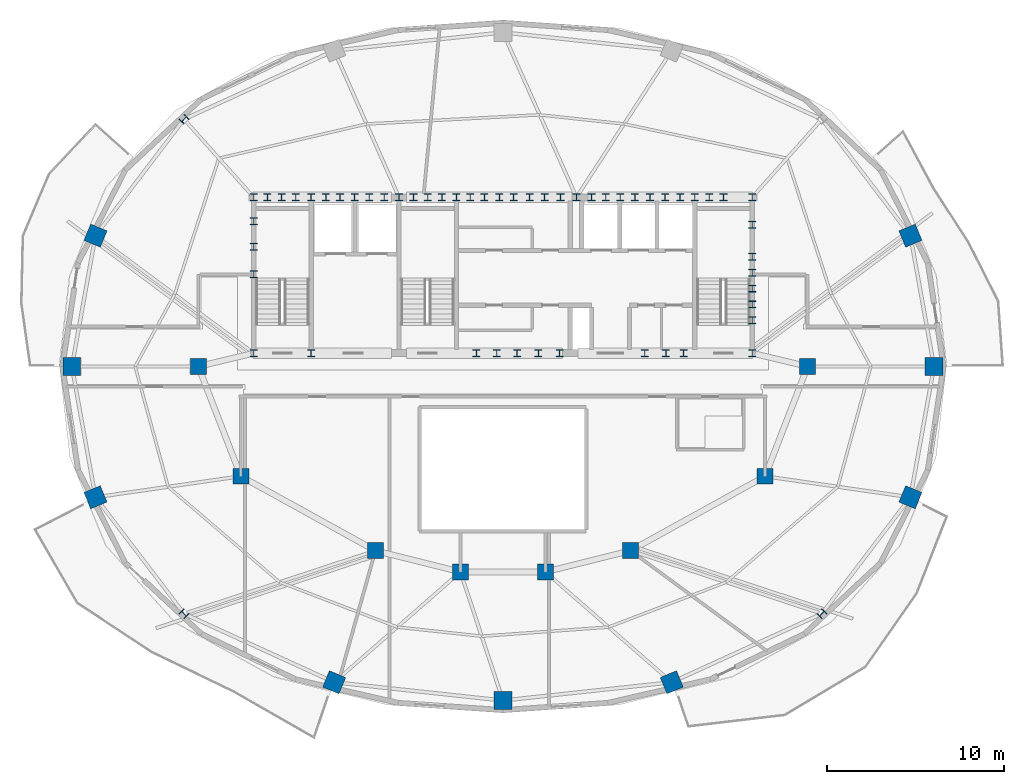
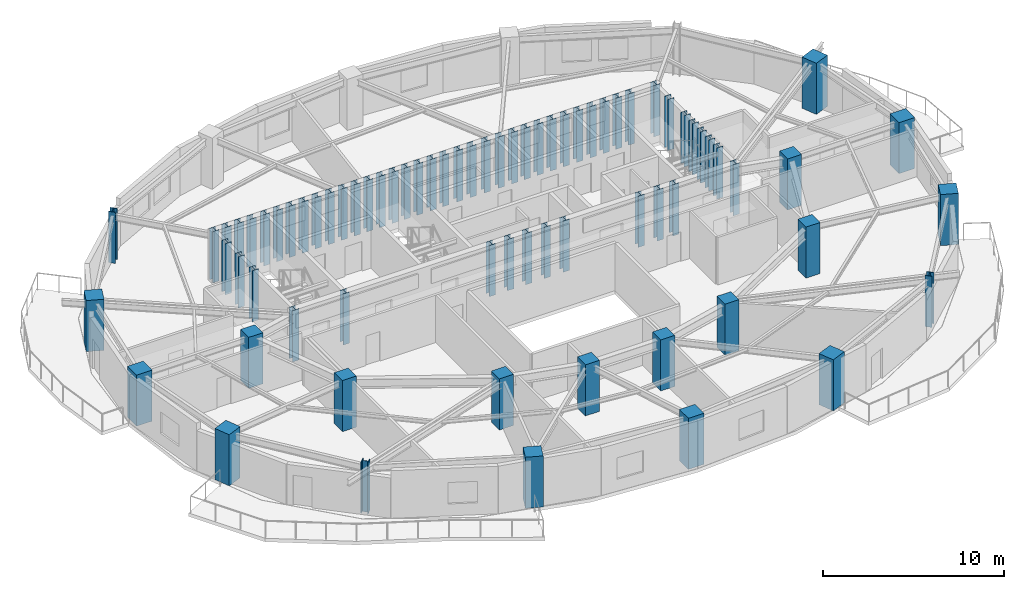
# One storey, part 1 of 10: 74 columns.
"""IFC4 building model written with IfcOpenShell, lengths in metres."""

from ifc_helpers import new_model, si_unit, direction, frame, origin, origin_2d, place, context, subcontext, project, spatial, rectangle, i_section, extrude, material, material_profile, profile_set, type_object, element, save


model = new_model("IFC4")

# Units and contexts
model_context = context("Model", 3, precision=1e-05, world=origin(), true_north=direction((0.0, 1.0)))
body_context = subcontext(model_context, "Body", "Model", "MODEL_VIEW")
ifc_project = project(units=[si_unit("LENGTHUNIT", "METRE"), si_unit("AREAUNIT", "SQUARE_METRE"), si_unit("VOLUMEUNIT", "CUBIC_METRE"), si_unit("PLANEANGLEUNIT", "RADIAN"), si_unit("MASSUNIT", "GRAM", prefix="KILO")], contexts=[model_context])

# Site, building, storey
site_placement = place(None, origin())
site = spatial("IfcSite", under=ifc_project, at=site_placement, CompositionType="ELEMENT")
building_placement = place(site_placement, origin())
building = spatial("IfcBuilding", under=site, at=building_placement, Name="Haldorwick Loom Tower", CompositionType="ELEMENT")
storey_placement = place(building_placement, frame((0.0, 0.0, 262.64990234375)))
storey = spatial("IfcBuildingStorey", under=building, at=storey_placement, Name="L71", CompositionType="ELEMENT", Elevation=262.64990234375)

# Columns
ifc_material_1 = material(Name="Concrete C60 (60 MPa)", Category="concrete")
ifc_material_profile_1 = material_profile(ifc_material_1, rectangle(XDim=1.0, YDim=1.0, at=origin_2d()), Name="RC1000X1000", Category="concrete")
ifc_profile_set_1 = profile_set([ifc_material_profile_1], Name="Concrete C60 (60 MPa)")
column_type_1 = type_object("IfcColumnType", Name="STR-COL-RC1000", PredefinedType="COLUMN", material=ifc_profile_set_1)
for number, where, z_axis, x_axis, name in (
    (1, (60.3369140625, 26.0, 0.0), (0.0, 0.0, 1.0), (1.0, 0.0, 0.0), "L71 Perimeter Pier Column P01"),
    (2, (59.004638671875, 33.3857421875, 0.0), (0.0, 0.0, 1.0), (0.923879532511, 0.382683432365, 0.0), "L71 Perimeter Pier Column P02"),
    (3, (12.995361328125, 33.3857421875, 0.0), (0.0, 0.0, 1.0), (-0.923879532511, 0.382683432365, 0.0), "L71 Perimeter Pier Column P08"),
    (4, (11.6630859375, 26.0, 0.0), (0.0, 0.0, 1.0), (-1.0, 0.0, 0.0), "L71 Perimeter Pier Column P09"),
    (5, (12.995361328125, 18.6142578125, 0.0), (0.0, 0.0, 1.0), (-0.923879532511, -0.382683432365, 0.0), "L71 Perimeter Pier Column P10"),
    (6, (26.47119140625, 8.169189453125, 0.0), (0.0, 0.0, 1.0), (-0.382683432365, -0.923879532511, 0.0), "L71 Perimeter Pier Column P12"),
    (7, (36.0, 7.139892578125, 0.0), (0.0, 0.0, 1.0), (0.0, -1.0, 0.0), "L71 Perimeter Pier Column P13"),
    (8, (45.52880859375, 8.169189453125, 0.0), (0.0, 0.0, 1.0), (0.382683432365, -0.923879532511, 0.0), "L71 Perimeter Pier Column P14"),
    (9, (59.004638671875, 18.6142578125, 0.0), (0.0, 0.0, 1.0), (0.923879532511, -0.382683432365, 0.0), "L71 Perimeter Pier Column P16"),
):
    element("IfcColumn", number, at=place(storey_placement, frame(where, z_axis=z_axis, x_axis=x_axis)), inside=storey, type_object=column_type_1, Name=name, PredefinedType="COLUMN", context=body_context, shape_type="SweptSolid", body=[
        extrude(rectangle(XDim=1.0, YDim=1.0, at=origin_2d()), origin(), (0.0, 0.0, 1.0), 3.4501953125),
    ])
ifc_material_2 = material(Name="Concrete C50 (50 MPa)", Category="concrete")
ifc_material_profile_2 = material_profile(ifc_material_2, rectangle(XDim=0.89990234375, YDim=0.89990234375, at=origin_2d()), Name="RC900X900", Category="concrete")
ifc_profile_set_2 = profile_set([ifc_material_profile_2], Name="Concrete C50 (50 MPa)")
column_type_2 = type_object("IfcColumnType", Name="STR-COL-RC900", PredefinedType="COLUMN", material=ifc_profile_set_2)
for number, where, z_axis, x_axis, name in (
    (10, (53.199951171875, 26.0, 0.0), (0.0, 0.0, 1.0), (1.0, 0.0, 0.0), "L71 Inner Column IC-01"),
    (11, (50.800048828125, 19.800048828125, 0.0), (0.0, 0.0, 1.0), (1.0, 0.0, 0.0), "L71 Inner Column IC-02"),
    (12, (43.199951171875, 15.60009765625, 0.0), (0.0, 0.0, 1.0), (1.0, 0.0, 0.0), "L71 Inner Column IC-03"),
    (13, (38.39990234375, 14.39990234375, 0.0), (0.0, 0.0, 1.0), (1.0, 0.0, 0.0), "L71 Inner Column IC-04"),
    (14, (33.60009765625, 14.39990234375, 0.0), (0.0, 0.0, 1.0), (1.0, 0.0, 0.0), "L71 Inner Column IC-05"),
    (15, (28.800048828125, 15.60009765625, 0.0), (0.0, 0.0, 1.0), (1.0, 0.0, 0.0), "L71 Inner Column IC-06"),
    (16, (21.199951171875, 19.800048828125, 0.0), (0.0, 0.0, 1.0), (1.0, 0.0, 0.0), "L71 Inner Column IC-07"),
    (17, (18.800048828125, 26.0, 0.0), (0.0, 0.0, 1.0), (1.0, 0.0, 0.0), "L71 Inner Column IC-08"),
):
    element("IfcColumn", number, at=place(storey_placement, frame(where, z_axis=z_axis, x_axis=x_axis)), inside=storey, type_object=column_type_2, Name=name, PredefinedType="COLUMN", context=body_context, shape_type="SweptSolid", body=[
        extrude(rectangle(XDim=0.89990234375, YDim=0.89990234375, at=origin_2d()), origin(), (0.0, 0.0, 1.0), 3.4501953125),
    ])
ifc_material_3 = material(Name="Steel CSA G40.21 350W", Category="steel")
ifc_material_profile_3 = material_profile(ifc_material_3, i_section(OverallWidth=0.39892578125, OverallDepth=0.39306640625, WebThickness=0.0185546875, FlangeThickness=0.029541015625, at=origin_2d()), Name="W360X287", Category="steel")
ifc_profile_set_3 = profile_set([ifc_material_profile_3], Name="Steel CSA G40.21 350W")
column_type_3 = type_object("IfcColumnType", Name="STR-COL-W360X287", PredefinedType="COLUMN", material=ifc_profile_set_3)
for number, where, z_axis, x_axis, name in (
    (18, (21.929931640625, 35.550048828125, 0.0), (0.0, 0.0, 1.0), (1.0, 0.0, 0.0), "L71 Core Pilaster CB-01"),
    (19, (23.5, 35.550048828125, 0.0), (0.0, 0.0, 1.0), (1.0, 0.0, 0.0), "L71 Core Pilaster CB-02"),
    (20, (25.169921875, 35.550048828125, 0.0), (0.0, 0.0, 1.0), (1.0, 0.0, 0.0), "L71 Core Pilaster CB-03"),
    (21, (26.800048828125, 35.550048828125, 0.0), (0.0, 0.0, 1.0), (1.0, 0.0, 0.0), "L71 Core Pilaster CB-04"),
    (22, (28.449951171875, 35.550048828125, 0.0), (0.0, 0.0, 1.0), (1.0, 0.0, 0.0), "L71 Core Pilaster CB-05"),
    (23, (30.1298828125, 35.550048828125, 0.0), (0.0, 0.0, 1.0), (1.0, 0.0, 0.0), "L71 Core Pilaster CB-06"),
    (24, (31.75, 35.550048828125, 0.0), (0.0, 0.0, 1.0), (1.0, 0.0, 0.0), "L71 Core Pilaster CB-07"),
    (25, (33.3701171875, 35.550048828125, 0.0), (0.0, 0.0, 1.0), (1.0, 0.0, 0.0), "L71 Core Pilaster CB-08"),
    (26, (34.949951171875, 35.550048828125, 0.0), (0.0, 0.0, 1.0), (1.0, 0.0, 0.0), "L71 Core Pilaster CB-09"),
    (27, (36.60009765625, 35.550048828125, 0.0), (0.0, 0.0, 1.0), (1.0, 0.0, 0.0), "L71 Core Pilaster CB-10"),
    (28, (38.35009765625, 35.550048828125, 0.0), (0.0, 0.0, 1.0), (1.0, 0.0, 0.0), "L71 Core Pilaster CB-11"),
    (29, (40.14990234375, 35.550048828125, 0.0), (0.0, 0.0, 1.0), (1.0, 0.0, 0.0), "L71 Core Pilaster CB-12"),
    (30, (41.800048828125, 35.550048828125, 0.0), (0.0, 0.0, 1.0), (1.0, 0.0, 0.0), "L71 Core Pilaster CB-13"),
    (31, (43.449951171875, 35.550048828125, 0.0), (0.0, 0.0, 1.0), (1.0, 0.0, 0.0), "L71 Core Pilaster CB-14"),
    (32, (45.14990234375, 35.550048828125, 0.0), (0.0, 0.0, 1.0), (1.0, 0.0, 0.0), "L71 Core Pilaster CB-15"),
    (33, (46.830078125, 35.550048828125, 0.0), (0.0, 0.0, 1.0), (1.0, 0.0, 0.0), "L71 Core Pilaster CB-16"),
    (34, (48.449951171875, 35.550048828125, 0.0), (0.0, 0.0, 1.0), (1.0, 0.0, 0.0), "L71 Core Pilaster CB-17"),
    (35, (50.070068359375, 35.550048828125, 0.0), (0.0, 0.0, 1.0), (1.0, 0.0, 0.0), "L71 Core Pilaster CB-18"),
    (36, (21.929931640625, 26.75, 0.0), (0.0, 0.0, 1.0), (1.0, 0.0, 0.0), "L71 Core Pilaster CB-19"),
    (37, (25.169921875, 26.75, 0.0), (0.0, 0.0, 1.0), (1.0, 0.0, 0.0), "L71 Core Pilaster CB-20"),
    (38, (34.5, 26.75, 0.0), (0.0, 0.0, 1.0), (1.0, 0.0, 0.0), "L71 Core Pilaster CB-21"),
    (39, (36.800048828125, 26.75, 0.0), (0.0, 0.0, 1.0), (1.0, 0.0, 0.0), "L71 Core Pilaster CB-22"),
    (40, (39.199951171875, 26.75, 0.0), (0.0, 0.0, 1.0), (1.0, 0.0, 0.0), "L71 Core Pilaster CB-23"),
    (41, (45.199951171875, 26.75, 0.0), (0.0, 0.0, 1.0), (1.0, 0.0, 0.0), "L71 Core Pilaster CB-24"),
    (42, (50.070068359375, 26.75, 0.0), (0.0, 0.0, 1.0), (1.0, 0.0, 0.0), "L71 Core Pilaster CB-25"),
    (43, (21.929931640625, 31.199951171875, 0.0), (0.0, 0.0, 1.0), (1.0, 0.0, 0.0), "L71 Core Pilaster CB-26"),
    (44, (21.929931640625, 32.75, 0.0), (0.0, 0.0, 1.0), (1.0, 0.0, 0.0), "L71 Core Pilaster CB-27"),
    (45, (21.929931640625, 34.199951171875, 0.0), (0.0, 0.0, 1.0), (1.0, 0.0, 0.0), "L71 Core Pilaster CB-28"),
    (46, (50.070068359375, 28.60009765625, 0.0), (0.0, 0.0, 1.0), (1.0, 0.0, 0.0), "L71 Core Pilaster CB-29"),
    (47, (50.070068359375, 30.39990234375, 0.0), (0.0, 0.0, 1.0), (1.0, 0.0, 0.0), "L71 Core Pilaster CB-30"),
    (48, (50.070068359375, 32.199951171875, 0.0), (0.0, 0.0, 1.0), (1.0, 0.0, 0.0), "L71 Core Pilaster CB-31"),
    (49, (50.070068359375, 34.0, 0.0), (0.0, 0.0, 1.0), (1.0, 0.0, 0.0), "L71 Core Pilaster CB-32"),
    (50, (22.699951171875, 35.550048828125, 0.0), (0.0, 0.0, 1.0), (1.0, 0.0, 0.0), "L71 Core Pilaster CB-33"),
    (51, (27.6201171875, 35.550048828125, 0.0), (0.0, 0.0, 1.0), (1.0, 0.0, 0.0), "L71 Core Pilaster CB-34"),
    (52, (32.550048828125, 35.550048828125, 0.0), (0.0, 0.0, 1.0), (1.0, 0.0, 0.0), "L71 Core Pilaster CB-35"),
    (53, (37.5, 35.550048828125, 0.0), (0.0, 0.0, 1.0), (1.0, 0.0, 0.0), "L71 Core Pilaster CB-36"),
    (54, (42.6201171875, 35.550048828125, 0.0), (0.0, 0.0, 1.0), (1.0, 0.0, 0.0), "L71 Core Pilaster CB-37"),
    (55, (47.64990234375, 35.550048828125, 0.0), (0.0, 0.0, 1.0), (1.0, 0.0, 0.0), "L71 Core Pilaster CB-38"),
    (56, (24.300048828125, 35.550048828125, 0.0), (0.0, 0.0, 1.0), (1.0, 0.0, 0.0), "L71 Core Pilaster CB-39"),
    (57, (26.0, 35.550048828125, 0.0), (0.0, 0.0, 1.0), (1.0, 0.0, 0.0), "L71 Core Pilaster CB-40"),
    (58, (29.300048828125, 35.550048828125, 0.0), (0.0, 0.0, 1.0), (1.0, 0.0, 0.0), "L71 Core Pilaster CB-41"),
    (59, (30.949951171875, 35.550048828125, 0.0), (0.0, 0.0, 1.0), (1.0, 0.0, 0.0), "L71 Core Pilaster CB-42"),
    (60, (34.14990234375, 35.550048828125, 0.0), (0.0, 0.0, 1.0), (1.0, 0.0, 0.0), "L71 Core Pilaster CB-43"),
    (61, (35.800048828125, 35.550048828125, 0.0), (0.0, 0.0, 1.0), (1.0, 0.0, 0.0), "L71 Core Pilaster CB-44"),
    (62, (39.25, 35.550048828125, 0.0), (0.0, 0.0, 1.0), (1.0, 0.0, 0.0), "L71 Core Pilaster CB-45"),
    (63, (41.0, 35.550048828125, 0.0), (0.0, 0.0, 1.0), (1.0, 0.0, 0.0), "L71 Core Pilaster CB-46"),
    (64, (44.300048828125, 35.550048828125, 0.0), (0.0, 0.0, 1.0), (1.0, 0.0, 0.0), "L71 Core Pilaster CB-47"),
    (65, (46.0, 35.550048828125, 0.0), (0.0, 0.0, 1.0), (1.0, 0.0, 0.0), "L71 Core Pilaster CB-48"),
    (66, (50.070068359375, 29.5, 0.0), (0.0, 0.0, 1.0), (1.0, 0.0, 0.0), "L71 Core Pilaster CB-49"),
    (67, (50.070068359375, 31.300048828125, 0.0), (0.0, 0.0, 1.0), (1.0, 0.0, 0.0), "L71 Core Pilaster CB-50"),
    (68, (35.64990234375, 26.75, 0.0), (0.0, 0.0, 1.0), (1.0, 0.0, 0.0), "L71 Core Pilaster CB-51"),
    (69, (38.0, 26.75, 0.0), (0.0, 0.0, 1.0), (1.0, 0.0, 0.0), "L71 Core Pilaster CB-52"),
    (70, (44.0, 26.75, 0.0), (0.0, 0.0, 1.0), (1.0, 0.0, 0.0), "L71 Core Pilaster CB-53"),
    (71, (46.199951171875, 26.75, 0.0), (0.0, 0.0, 1.0), (1.0, 0.0, 0.0), "L71 Core Pilaster CB-54"),
):
    element("IfcColumn", number, at=place(storey_placement, frame(where, z_axis=z_axis, x_axis=x_axis)), inside=storey, type_object=column_type_3, Name=name, PredefinedType="COLUMN", context=body_context, shape_type="SweptSolid", body=[
        extrude(i_section(OverallWidth=0.39892578125, OverallDepth=0.39306640625, WebThickness=0.0185546875, FlangeThickness=0.029541015625, at=origin_2d()), origin(), (0.0, 0.0, 1.0), 3.4501953125),
    ])
ifc_material_profile_4 = material_profile(ifc_material_3, i_section(OverallWidth=0.406005859375, OverallDepth=0.416015625, WebThickness=0.024169921875, FlangeThickness=0.03857421875, at=origin_2d()), Name="W360X382", Category="steel")
ifc_profile_set_4 = profile_set([ifc_material_profile_4], Name="Steel CSA G40.21 350W")
column_type_4 = type_object("IfcColumnType", Name="STR-COL-W360X382", PredefinedType="COLUMN", material=ifc_profile_set_4)
for number, where, z_axis, x_axis, name in (
    (72, (17.994873046875, 39.958251953125, 0.0), (0.0, 0.0, 1.0), (-0.707106781187, 0.707106781187, 0.0), "L71 Perimeter Pier Column P07"),
    (73, (17.994873046875, 12.041748046875, 0.0), (0.0, 0.0, 1.0), (-0.707106781187, -0.707106781187, 0.0), "L71 Perimeter Pier Column P11"),
    (74, (54.005126953125, 12.041748046875, 0.0), (0.0, 0.0, 1.0), (0.707106781187, -0.707106781187, 0.0), "L71 Perimeter Pier Column P15"),
):
    element("IfcColumn", number, at=place(storey_placement, frame(where, z_axis=z_axis, x_axis=x_axis)), inside=storey, type_object=column_type_4, Name=name, PredefinedType="COLUMN", context=body_context, shape_type="SweptSolid", body=[
        extrude(i_section(OverallWidth=0.406005859375, OverallDepth=0.416015625, WebThickness=0.024169921875, FlangeThickness=0.03857421875, at=origin_2d()), origin(), (0.0, 0.0, 1.0), 3.4501953125),
    ])

save(model, "model.ifc")
